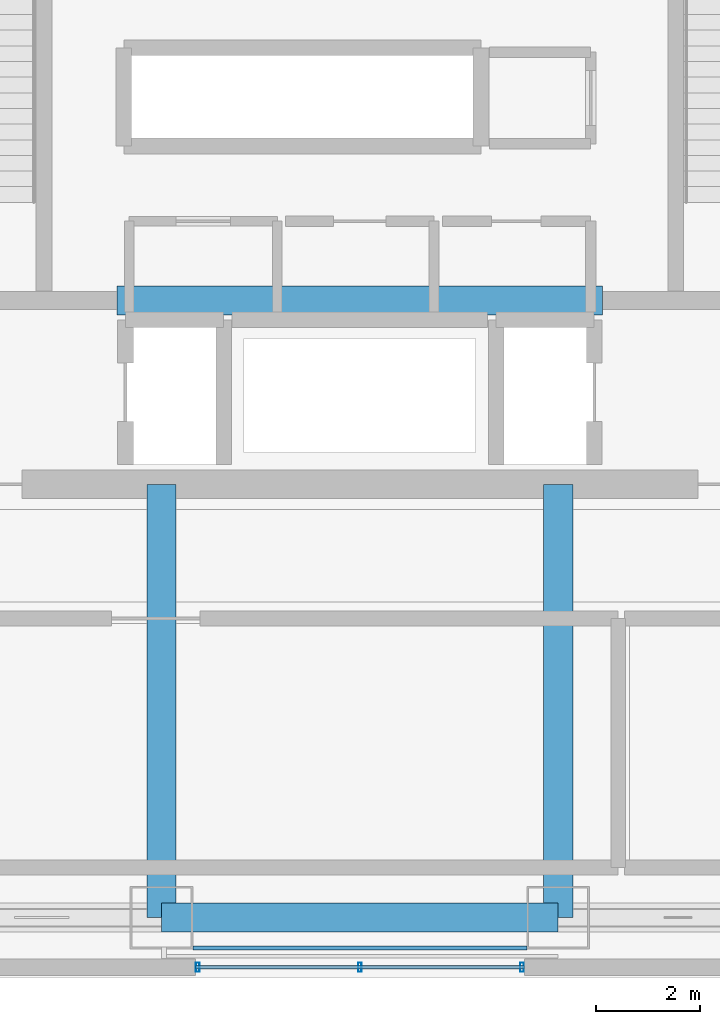
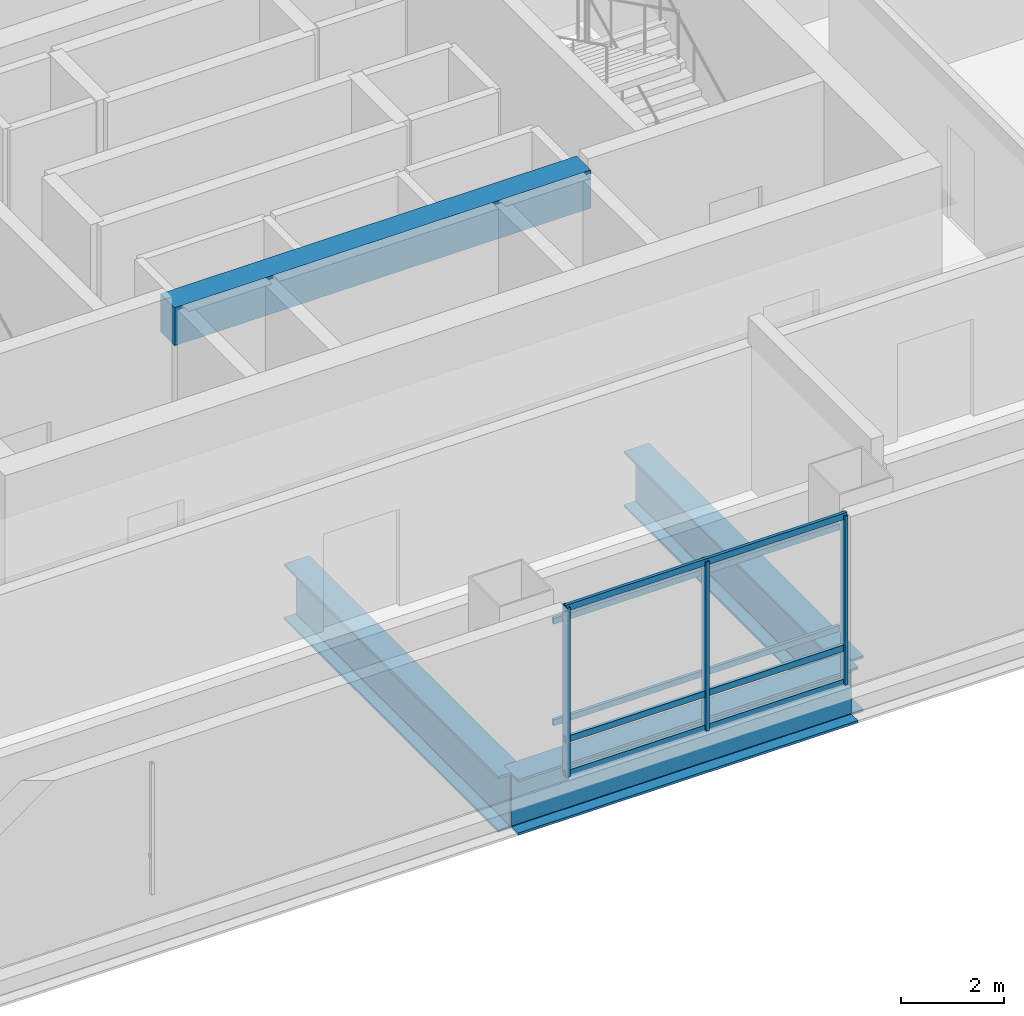
# One storey, part 4 of 31: 8 members, 4 beams, 1 element without a shape of its own.
"""IFC4 building model written with IfcOpenShell, lengths in metres."""

import ifcopenshell
import ifcopenshell.guid

model = None  # the IFC model being written
_history = None  # IfcOwnerHistory: only IFC2X3 demands one
_inside = {}  # id of a spatial element -> (the spatial element, [elements in it])
_under = {}  # id of a project, library or spatial element -> (it, [spatial elements below it])
_declared = {}  # id of a project -> (the project, [libraries it declares])
_typed = {}  # id of a type object -> (the type object, [elements of that type])
_made_of = {}  # id of a material, layer set ... -> (it, [elements and type objects made of it])


def new_model(schema):
    """Start an empty IFC model of exactly this schema.

    Asked for "IFC4X3", IfcOpenShell would pick the latest addendum, in which some entities
    have other attributes; the version numbers below select the first issue.
    IFC2X3 requires an IfcOwnerHistory on every rooted entity: one is made here for all.
    """
    global model, _history
    if schema == "IFC4X3":
        model = ifcopenshell.file(schema_version=(4, 3, 0, 0))
    else:
        model = ifcopenshell.file(schema=schema)
    _inside.clear()
    _under.clear()
    _declared.clear()
    _typed.clear()
    _made_of.clear()
    _history = None
    if model.schema == "IFC2X3":
        org = make("IfcOrganization", Name="unknown")
        user = make(
            "IfcPersonAndOrganization",
            ThePerson=make("IfcPerson", FamilyName="unknown"),
            TheOrganization=org,
        )
        app = make(
            "IfcApplication",
            ApplicationDeveloper=org,
            Version="unknown",
            ApplicationFullName="unknown",
            ApplicationIdentifier="unknown",
        )
        _history = make(
            "IfcOwnerHistory",
            OwningUser=user,
            OwningApplication=app,
            ChangeAction="ADDED",
            CreationDate=0,
        )
    return model


def make(cls, **values):
    """One entity of the class cls with the attributes given. An attribute that is None is left unset."""
    return model.create_entity(
        cls, **{name: value for name, value in values.items() if value is not None}
    )


def rooted(cls, **values):
    """An entity with a GlobalId (a new one), such as an element, a storey or a relation."""
    return make(cls, GlobalId=ifcopenshell.guid.new(), OwnerHistory=_history, **values)


def si_unit(unit_type, name, prefix=None):
    """IfcSIUnit, for example si_unit("LENGTHUNIT", "METRE", prefix="MILLI")."""
    return make("IfcSIUnit", UnitType=unit_type, Prefix=prefix, Name=name)


def assignment(units):
    """IfcUnitAssignment: the units of a project."""
    return None if units is None else make("IfcUnitAssignment", Units=units)


def point(xyz):
    """IfcCartesianPoint."""
    return None if xyz is None else make("IfcCartesianPoint", Coordinates=xyz)


def direction(xyz):
    """IfcDirection."""
    return None if xyz is None else make("IfcDirection", DirectionRatios=xyz)


def frame(location, z_axis=None, x_axis=None):
    """IfcAxis2Placement3D, a coordinate frame: its origin and axes. An axis left out is left unset."""
    return make(
        "IfcAxis2Placement3D",
        Location=point(location),
        Axis=direction(z_axis),
        RefDirection=direction(x_axis),
    )


def frame_2d(location, x_axis=None):
    """IfcAxis2Placement2D, a coordinate frame in the plane: its origin and x axis."""
    return make(
        "IfcAxis2Placement2D", Location=point(location), RefDirection=direction(x_axis)
    )


def origin():
    """The frame at (0, 0, 0) with its axes left unset."""
    return frame((0.0, 0.0, 0.0))


def origin_2d():
    """The frame at (0, 0) in the plane with its x axis left unset."""
    return frame_2d((0.0, 0.0))


def place(relative_to, where):
    """IfcLocalPlacement: puts the frame where relative to a parent placement (None: the world)."""
    return make(
        "IfcLocalPlacement", PlacementRelTo=relative_to, RelativePlacement=where
    )


def context(
    kind, dimensions, precision=None, world=None, true_north=None, identifier=None
):
    """IfcGeometricRepresentationContext, for example the 3D "Model" context."""
    return make(
        "IfcGeometricRepresentationContext",
        ContextIdentifier=identifier,
        ContextType=kind,
        CoordinateSpaceDimension=dimensions,
        Precision=precision,
        WorldCoordinateSystem=world,
        TrueNorth=true_north,
    )


def subcontext(parent, identifier, kind, view, scale=None):
    """IfcGeometricRepresentationSubContext, for example "Body" below "Model"."""
    return make(
        "IfcGeometricRepresentationSubContext",
        ContextIdentifier=identifier,
        ContextType=kind,
        ParentContext=parent,
        TargetScale=scale,
        TargetView=view,
    )


def project(units=None, contexts=None):
    """IfcProject with its units and contexts."""
    return rooted(
        "IfcProject",
        Name="project",
        RepresentationContexts=contexts,
        UnitsInContext=assignment(units),
    )


def spatial(cls, under=None, at=None, **own):
    """A site, building, storey or space (cls), placed at a placement, below another one or the project."""
    s = rooted(cls, ObjectPlacement=at, **own)
    if under is not None:
        _under.setdefault(under.id(), (under, []))[1].append(s)
    return s


def profile(cls, at=None, kind="AREA", **sizes):
    """A parametric profile (cls). Its sizes go by their IFC names, for example OverallWidth=200.0."""
    return make(cls, ProfileType=kind, Position=at, **sizes)


def rectangle(**sizes):
    """IfcRectangleProfileDef."""
    return profile("IfcRectangleProfileDef", **sizes)


def hollow_rectangle(**sizes):
    """IfcRectangleHollowProfileDef."""
    return profile("IfcRectangleHollowProfileDef", **sizes)


def i_section(**sizes):
    """IfcIShapeProfileDef."""
    return profile("IfcIShapeProfileDef", **sizes)


def extrude(swept, where, along, depth):
    """IfcExtrudedAreaSolid: the profile swept, set in the frame where, extruded along a direction by depth."""
    return make(
        "IfcExtrudedAreaSolid",
        SweptArea=swept,
        Position=where,
        ExtrudedDirection=direction(along),
        Depth=depth,
    )


def shape(context_of_items, identifier, shape_type, items):
    """IfcShapeRepresentation: the items that make up one representation, for example the "Body"."""
    return make(
        "IfcShapeRepresentation",
        ContextOfItems=context_of_items,
        RepresentationIdentifier=identifier,
        RepresentationType=shape_type,
        Items=items,
    )


def material(Name=None, Category=None):
    """IfcMaterial."""
    return make("IfcMaterial", Name=Name, Category=Category)


def material_profile(
    of_material, cross_section, Name=None, Category=None, Priority=None
):
    """IfcMaterialProfile: a cross section and its material."""
    return make(
        "IfcMaterialProfile",
        Name=Name,
        Material=of_material,
        Profile=cross_section,
        Priority=Priority,
        Category=Category,
    )


def profile_set(profiles, Name=None, composite=None):
    """IfcMaterialProfileSet."""
    return make(
        "IfcMaterialProfileSet",
        Name=Name,
        MaterialProfiles=profiles,
        CompositeProfile=composite,
    )


def made_of(thing, what):
    """Note that an element or type object is made of a material, layer set ...; save() writes the relation."""
    if what is not None:
        _made_of.setdefault(what.id(), (what, []))[1].append(thing)
    return thing


def type_object(cls, material=None, **own):
    """A type object (cls), such as IfcWallType, which elements share."""
    return made_of(rooted(cls, **own), material)


def element(
    cls,
    number,
    at=None,
    inside=None,
    cuts=None,
    type_object=None,
    material=None,
    context=None,
    identifier="Body",
    shape_type=None,
    held_by="IfcProductDefinitionShape",
    body=None,
    shapes=None,
    **own,
):
    """One element of the class cls, such as IfcWall. Its Tag is "e" and its number.

    at: its placement. inside: the storey or other place that contains it. cuts: it is an
    opening in that element (IfcRelVoidsElement). A single representation is given by context,
    identifier, shape_type and body (its items); several are given by shapes. held_by: the class
    of the entity that holds the representations. save() writes the other relations.
    """
    e = rooted(cls, Tag="e%d" % number, ObjectPlacement=at, **own)
    if body is not None:
        shapes = [shape(context, identifier, shape_type, body)]
    if shapes is not None:
        e.Representation = make(held_by, Representations=shapes)
    if inside is not None:
        _inside.setdefault(inside.id(), (inside, []))[1].append(e)
    if cuts is not None:
        rooted(
            "IfcRelVoidsElement", RelatingBuildingElement=cuts, RelatedOpeningElement=e
        )
    if type_object is not None:
        _typed.setdefault(type_object.id(), (type_object, []))[1].append(e)
    return made_of(e, material)


def aggregate(whole, parts):
    """IfcRelAggregates: a whole, such as a stair, and the parts it consists of."""
    return rooted("IfcRelAggregates", RelatingObject=whole, RelatedObjects=parts)


def save(model, path):
    """Write the relations noted so far, then the file.

    IfcRelAggregates (storeys below a building ...), IfcRelContainedInSpatialStructure (elements
    in a storey), IfcRelDefinesByType, IfcRelAssociatesMaterial and IfcRelDeclares: one each for
    every whole, place, type object, material and project.
    """
    for whole, parts in _under.values():
        aggregate(whole, parts)
    for where, things in _inside.values():
        rooted(
            "IfcRelContainedInSpatialStructure",
            RelatedElements=things,
            RelatingStructure=where,
        )
    for kind, things in _typed.values():
        rooted("IfcRelDefinesByType", RelatedObjects=things, RelatingType=kind)
    for what, things in _made_of.values():
        rooted("IfcRelAssociatesMaterial", RelatedObjects=things, RelatingMaterial=what)
    for by, libraries in _declared.values():
        rooted("IfcRelDeclares", RelatingContext=by, RelatedDefinitions=libraries)
    model.write(path)


model = new_model("IFC4")

# Units and contexts
model_context = context("Model", 3, precision=1e-05, world=origin(), true_north=direction((0.0, 1.0)))
body_context = subcontext(model_context, "Body", "Model", "MODEL_VIEW")
ifc_project = project(units=[si_unit("LENGTHUNIT", "METRE"), si_unit("AREAUNIT", "SQUARE_METRE"), si_unit("VOLUMEUNIT", "CUBIC_METRE"), si_unit("PLANEANGLEUNIT", "RADIAN"), si_unit("MASSUNIT", "GRAM", prefix="KILO")], contexts=[model_context])

# Site, building, storey
site_placement = place(None, origin())
site = spatial("IfcSite", under=ifc_project, at=site_placement, CompositionType="ELEMENT")
building_placement = place(site_placement, origin())
building = spatial("IfcBuilding", under=site, at=building_placement, Name="Punatoya Terracotta Tower", CompositionType="ELEMENT")
storey_placement = place(building_placement, frame((0.0, 0.0, 283.800048828125)))
storey = spatial("IfcBuildingStorey", under=building, at=storey_placement, Name="L67", CompositionType="ELEMENT", Elevation=283.800048828125)

# Beams
ifc_material_1 = material(Name="Concrete C50/60", Category="concrete")
ifc_material_profile_1 = material_profile(ifc_material_1, rectangle(XDim=0.550048828125, YDim=0.89990234375, at=origin_2d()))
ifc_profile_set_1 = profile_set([ifc_material_profile_1], Name="Concrete C50/60")
beam_type_1 = type_object("IfcBeamType", Name="BM-RC-900", PredefinedType="LINTEL", material=ifc_profile_set_1)
beam_1_placement = place(storey_placement, frame((-4.64990234375, -5.679931640625, 3.550048828125), z_axis=(1.0, 0.0, 0.0), x_axis=(0.0, 1.0, 0.0)))
element("IfcBeam", 1, at=beam_1_placement, inside=storey, type_object=beam_type_1, Name="L67 Core Coupling Lintel CSW", PredefinedType="LINTEL", context=body_context, shape_type="SweptSolid", body=[
    extrude(rectangle(XDim=0.550048828125, YDim=0.89990234375, at=origin_2d()), origin(), (0.0, 0.0, 1.0), 9.2998046875),
])
ifc_material_2 = material(Name="Steel S460", Category="steel")
ifc_material_profile_2 = material_profile(ifc_material_2, i_section(OverallWidth=0.56005859375, OverallDepth=1.320068359375, WebThickness=0.035888671875, FlangeThickness=0.054931640625, FilletRadius=0.01806640625, at=origin_2d()))
ifc_profile_set_2 = profile_set([ifc_material_profile_2], Name="Steel S460")
beam_type_2 = type_object("IfcBeamType", Name="BM-TG-BLK", PredefinedType="BEAM", material=ifc_profile_set_2)
beam_2_placement = place(storey_placement, frame((-3.800048828125, -17.5, -0.93994140625), z_axis=(1.0, 0.0, 0.0), x_axis=(0.0, 1.0, 0.0)))
element("IfcBeam", 2, at=beam_2_placement, inside=storey, type_object=beam_type_2, Name="BM-L67-RG-S2", PredefinedType="BEAM", context=body_context, shape_type="SweptSolid", body=[
    extrude(i_section(OverallWidth=0.56005859375, OverallDepth=1.320068359375, WebThickness=0.035888671875, FlangeThickness=0.054931640625, FilletRadius=0.01806640625, at=origin_2d()), origin(), (0.0, 0.0, 1.0), 7.60009765625),
])
for number, where, z_axis, x_axis, name in (
    (3, (-3.800048828125, -17.5, -0.93994140625), (0.0, 1.0, 0.0), (-1.0, 0.0, 0.0), "BM-L67-PR-S2"),
    (4, (3.800048828125, -17.5, -0.93994140625), (0.0, 1.0, 0.0), (-1.0, 0.0, 0.0), "BM-L67-PR-S3"),
):
    element("IfcBeam", number, at=place(storey_placement, frame(where, z_axis=z_axis, x_axis=x_axis)), inside=storey, type_object=beam_type_2, Name=name, PredefinedType="BEAM", context=body_context, shape_type="SweptSolid", body=[
        extrude(i_section(OverallWidth=0.56005859375, OverallDepth=1.320068359375, WebThickness=0.035888671875, FlangeThickness=0.054931640625, FilletRadius=0.01806640625, at=origin_2d()), origin(), (0.0, 0.0, 1.0), 8.300048828125),
    ])

# Curtain wall, members
ifc_material_3 = material(Name="Aluminium 6063-T6 + Double Low-E Glass", Category="aluminium")
curtain_wall_type = type_object("IfcCurtainWallType", Name="CW-M3", PredefinedType="NOTDEFINED", material=ifc_material_3)
curtain_wall_placement = place(storey_placement, origin())
curtain_wall = element("IfcCurtainWall", 5, at=curtain_wall_placement, inside=storey, type_object=curtain_wall_type, Name="L67 Curtain Wall CW-L67-S01-1", PredefinedType="NOTDEFINED")
ifc_material_4 = material(Name="Aluminium 6063-T6", Category="aluminium")
ifc_material_profile_3 = material_profile(ifc_material_4, hollow_rectangle(XDim=0.070068359375, YDim=0.179931640625, WallThickness=0.00390625, at=origin_2d()))
ifc_profile_set_3 = profile_set([ifc_material_profile_3], Name="Aluminium 6063-T6")
member_type_1 = type_object("IfcMemberType", Name="CW-MUL-M3", PredefinedType="MULLION", material=ifc_profile_set_3)
member_1_placement = place(storey_placement, frame((-3.10498046875, -18.449951171875, 0.0), z_axis=(0.0, 0.0, 1.0), x_axis=(1.0, 0.0, 0.0)))
member_1 = element("IfcMember", 6, at=member_1_placement, type_object=member_type_1, Name="CW-L67-S01-1 Mullion 00", PredefinedType="MULLION", context=body_context, shape_type="SweptSolid", body=[
    extrude(hollow_rectangle(XDim=0.070068359375, YDim=0.179931640625, WallThickness=0.00390625, at=origin_2d()), origin(), (0.0, 0.0, 1.0), 4.0),
])
member_2_placement = place(storey_placement, frame((0.0, -18.449951171875, 0.0), z_axis=(0.0, 0.0, 1.0), x_axis=(1.0, 0.0, 0.0)))
member_2 = element("IfcMember", 7, at=member_2_placement, type_object=member_type_1, Name="CW-L67-S01-1 Mullion 01", PredefinedType="MULLION", context=body_context, shape_type="SweptSolid", body=[
    extrude(hollow_rectangle(XDim=0.070068359375, YDim=0.179931640625, WallThickness=0.00390625, at=origin_2d()), origin(), (0.0, 0.0, 1.0), 4.0),
])
member_3_placement = place(storey_placement, frame((3.10498046875, -18.449951171875, 0.0), z_axis=(0.0, 0.0, 1.0), x_axis=(1.0, 0.0, 0.0)))
member_3 = element("IfcMember", 8, at=member_3_placement, type_object=member_type_1, Name="CW-L67-S01-1 Mullion 02", PredefinedType="MULLION", context=body_context, shape_type="SweptSolid", body=[
    extrude(hollow_rectangle(XDim=0.070068359375, YDim=0.179931640625, WallThickness=0.00390625, at=origin_2d()), origin(), (0.0, 0.0, 1.0), 4.0),
])
ifc_material_profile_4 = material_profile(ifc_material_4, hollow_rectangle(XDim=0.068115234375, YDim=0.14990234375, WallThickness=0.00390625, at=origin_2d()))
ifc_profile_set_4 = profile_set([ifc_material_profile_4], Name="Aluminium 6063-T6")
member_type_2 = type_object("IfcMemberType", Name="CW-TRN-TYP", PredefinedType="USERDEFINED", material=ifc_profile_set_4)
member_4_placement = place(storey_placement, frame((-3.14990234375, -18.449951171875, 0.0400390625), z_axis=(1.0, 0.0, 0.0), x_axis=(0.0, 1.0, 0.0)))
member_4 = element("IfcMember", 9, at=member_4_placement, type_object=member_type_2, Name="CW-L67-S01-1 Transom 1", ObjectType="TRANSOM", PredefinedType="USERDEFINED", context=body_context, shape_type="SweptSolid", body=[
    extrude(hollow_rectangle(XDim=0.068115234375, YDim=0.14990234375, WallThickness=0.00390625, at=origin_2d()), origin(), (0.0, 0.0, 1.0), 6.2998046875),
])
member_5_placement = place(storey_placement, frame((-3.14990234375, -18.449951171875, 0.849853515625), z_axis=(1.0, 0.0, 0.0), x_axis=(0.0, 1.0, 0.0)))
member_5 = element("IfcMember", 10, at=member_5_placement, type_object=member_type_2, Name="CW-L67-S01-1 Transom 2", ObjectType="TRANSOM", PredefinedType="USERDEFINED", context=body_context, shape_type="SweptSolid", body=[
    extrude(hollow_rectangle(XDim=0.068115234375, YDim=0.14990234375, WallThickness=0.00390625, at=origin_2d()), origin(), (0.0, 0.0, 1.0), 6.2998046875),
])
member_6_placement = place(storey_placement, frame((-3.14990234375, -18.449951171875, 3.9599609375), z_axis=(1.0, 0.0, 0.0), x_axis=(0.0, 1.0, 0.0)))
member_6 = element("IfcMember", 11, at=member_6_placement, type_object=member_type_2, Name="CW-L67-S01-1 Transom 3", ObjectType="TRANSOM", PredefinedType="USERDEFINED", context=body_context, shape_type="SweptSolid", body=[
    extrude(hollow_rectangle(XDim=0.068115234375, YDim=0.14990234375, WallThickness=0.00390625, at=origin_2d()), origin(), (0.0, 0.0, 1.0), 6.2998046875),
])
aggregate(curtain_wall, [member_1, member_2, member_3, member_4, member_5, member_6])

# Members
ifc_material_5 = material(Name="Steel S355", Category="steel")
ifc_material_profile_5 = material_profile(ifc_material_5, hollow_rectangle(XDim=0.070068359375, YDim=0.139892578125, WallThickness=0.006103515625, at=origin_2d()))
ifc_profile_set_5 = profile_set([ifc_material_profile_5], Name="Steel S355")
member_type_3 = type_object("IfcMemberType", Name="MEM-BAG-RAIL", PredefinedType="USERDEFINED", material=ifc_profile_set_5)
for number, where, z_axis, x_axis, name in (
    (12, (-3.200439453125, -18.08203125, 1.050048828125), (1.0, 0.0, 0.0), (0.0, 1.0, 0.0), "L67 Terracotta Baguette Carrier Rail BAG-L67-S-R1"),
    (13, (-3.200439453125, -18.08203125, 3.449951171875), (1.0, 0.0, 0.0), (0.0, 1.0, 0.0), "L67 Terracotta Baguette Carrier Rail BAG-L67-S-R2"),
):
    element("IfcMember", number, at=place(storey_placement, frame(where, z_axis=z_axis, x_axis=x_axis)), inside=storey, type_object=member_type_3, Name=name, ObjectType="BAGUETTE", PredefinedType="USERDEFINED", context=body_context, shape_type="SweptSolid", body=[
        extrude(hollow_rectangle(XDim=0.070068359375, YDim=0.139892578125, WallThickness=0.006103515625, at=origin_2d()), origin(), (0.0, 0.0, 1.0), 6.40087890625),
    ])

save(model, "model.ifc")
